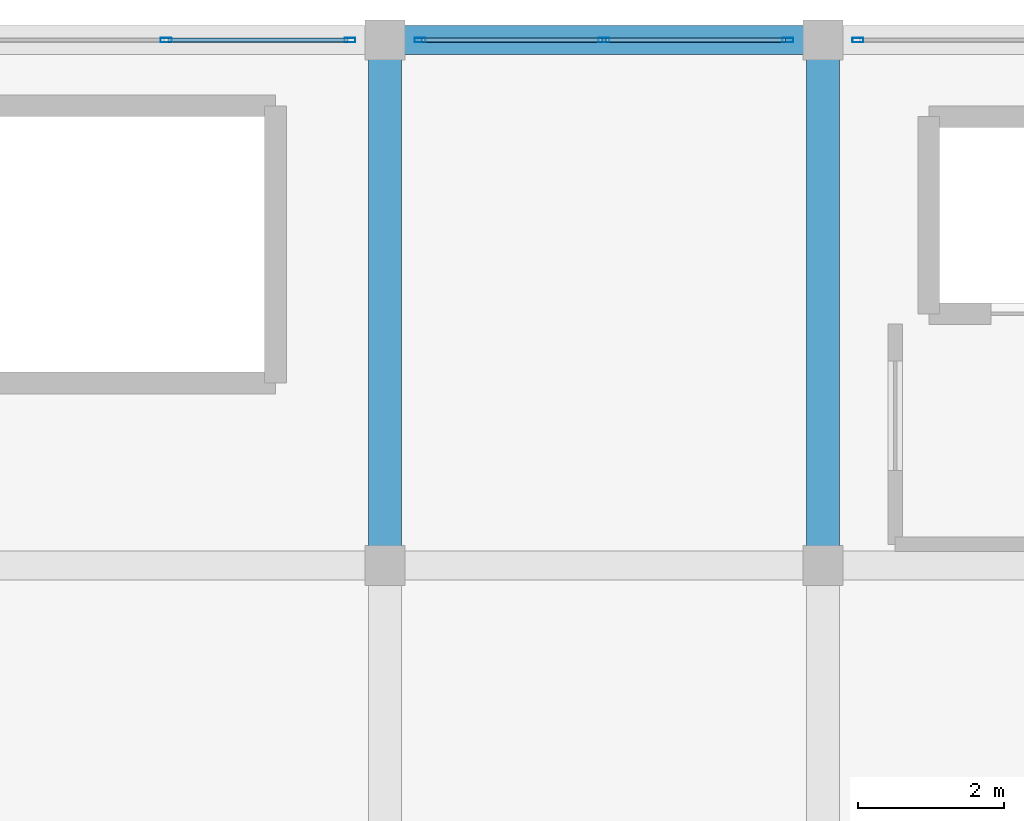
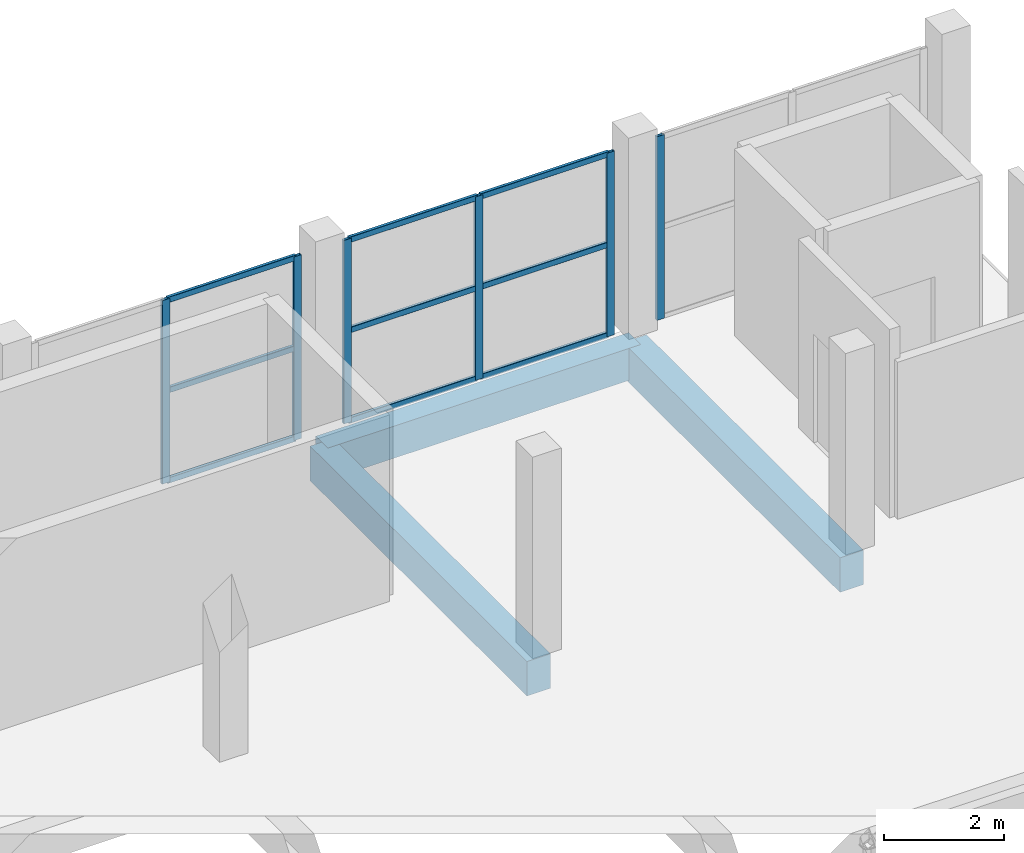
# One storey, part 55 of 127: 15 members, 3 beams, 3 elements without a shape of their own.
"""IFC4 building model written with IfcOpenShell, lengths in metres."""

import ifcopenshell
import ifcopenshell.guid

model = None  # the IFC model being written
_history = None  # IfcOwnerHistory: only IFC2X3 demands one
_inside = {}  # id of a spatial element -> (the spatial element, [elements in it])
_under = {}  # id of a project, library or spatial element -> (it, [spatial elements below it])
_declared = {}  # id of a project -> (the project, [libraries it declares])
_typed = {}  # id of a type object -> (the type object, [elements of that type])
_made_of = {}  # id of a material, layer set ... -> (it, [elements and type objects made of it])


def new_model(schema):
    """Start an empty IFC model of exactly this schema.

    Asked for "IFC4X3", IfcOpenShell would pick the latest addendum, in which some entities
    have other attributes; the version numbers below select the first issue.
    IFC2X3 requires an IfcOwnerHistory on every rooted entity: one is made here for all.
    """
    global model, _history
    if schema == "IFC4X3":
        model = ifcopenshell.file(schema_version=(4, 3, 0, 0))
    else:
        model = ifcopenshell.file(schema=schema)
    _inside.clear()
    _under.clear()
    _declared.clear()
    _typed.clear()
    _made_of.clear()
    _history = None
    if model.schema == "IFC2X3":
        org = make("IfcOrganization", Name="unknown")
        user = make(
            "IfcPersonAndOrganization",
            ThePerson=make("IfcPerson", FamilyName="unknown"),
            TheOrganization=org,
        )
        app = make(
            "IfcApplication",
            ApplicationDeveloper=org,
            Version="unknown",
            ApplicationFullName="unknown",
            ApplicationIdentifier="unknown",
        )
        _history = make(
            "IfcOwnerHistory",
            OwningUser=user,
            OwningApplication=app,
            ChangeAction="ADDED",
            CreationDate=0,
        )
    return model


def make(cls, **values):
    """One entity of the class cls with the attributes given. An attribute that is None is left unset."""
    return model.create_entity(
        cls, **{name: value for name, value in values.items() if value is not None}
    )


def rooted(cls, **values):
    """An entity with a GlobalId (a new one), such as an element, a storey or a relation."""
    return make(cls, GlobalId=ifcopenshell.guid.new(), OwnerHistory=_history, **values)


def si_unit(unit_type, name, prefix=None):
    """IfcSIUnit, for example si_unit("LENGTHUNIT", "METRE", prefix="MILLI")."""
    return make("IfcSIUnit", UnitType=unit_type, Prefix=prefix, Name=name)


def assignment(units):
    """IfcUnitAssignment: the units of a project."""
    return None if units is None else make("IfcUnitAssignment", Units=units)


def point(xyz):
    """IfcCartesianPoint."""
    return None if xyz is None else make("IfcCartesianPoint", Coordinates=xyz)


def direction(xyz):
    """IfcDirection."""
    return None if xyz is None else make("IfcDirection", DirectionRatios=xyz)


def frame(location, z_axis=None, x_axis=None):
    """IfcAxis2Placement3D, a coordinate frame: its origin and axes. An axis left out is left unset."""
    return make(
        "IfcAxis2Placement3D",
        Location=point(location),
        Axis=direction(z_axis),
        RefDirection=direction(x_axis),
    )


def frame_2d(location, x_axis=None):
    """IfcAxis2Placement2D, a coordinate frame in the plane: its origin and x axis."""
    return make(
        "IfcAxis2Placement2D", Location=point(location), RefDirection=direction(x_axis)
    )


def origin():
    """The frame at (0, 0, 0) with its axes left unset."""
    return frame((0.0, 0.0, 0.0))


def origin_2d():
    """The frame at (0, 0) in the plane with its x axis left unset."""
    return frame_2d((0.0, 0.0))


def place(relative_to, where):
    """IfcLocalPlacement: puts the frame where relative to a parent placement (None: the world)."""
    return make(
        "IfcLocalPlacement", PlacementRelTo=relative_to, RelativePlacement=where
    )


def context(
    kind, dimensions, precision=None, world=None, true_north=None, identifier=None
):
    """IfcGeometricRepresentationContext, for example the 3D "Model" context."""
    return make(
        "IfcGeometricRepresentationContext",
        ContextIdentifier=identifier,
        ContextType=kind,
        CoordinateSpaceDimension=dimensions,
        Precision=precision,
        WorldCoordinateSystem=world,
        TrueNorth=true_north,
    )


def subcontext(parent, identifier, kind, view, scale=None):
    """IfcGeometricRepresentationSubContext, for example "Body" below "Model"."""
    return make(
        "IfcGeometricRepresentationSubContext",
        ContextIdentifier=identifier,
        ContextType=kind,
        ParentContext=parent,
        TargetScale=scale,
        TargetView=view,
    )


def project(units=None, contexts=None):
    """IfcProject with its units and contexts."""
    return rooted(
        "IfcProject",
        Name="project",
        RepresentationContexts=contexts,
        UnitsInContext=assignment(units),
    )


def spatial(cls, under=None, at=None, **own):
    """A site, building, storey or space (cls), placed at a placement, below another one or the project."""
    s = rooted(cls, ObjectPlacement=at, **own)
    if under is not None:
        _under.setdefault(under.id(), (under, []))[1].append(s)
    return s


def profile(cls, at=None, kind="AREA", **sizes):
    """A parametric profile (cls). Its sizes go by their IFC names, for example OverallWidth=200.0."""
    return make(cls, ProfileType=kind, Position=at, **sizes)


def rectangle(**sizes):
    """IfcRectangleProfileDef."""
    return profile("IfcRectangleProfileDef", **sizes)


def hollow_rectangle(**sizes):
    """IfcRectangleHollowProfileDef."""
    return profile("IfcRectangleHollowProfileDef", **sizes)


def extrude(swept, where, along, depth):
    """IfcExtrudedAreaSolid: the profile swept, set in the frame where, extruded along a direction by depth."""
    return make(
        "IfcExtrudedAreaSolid",
        SweptArea=swept,
        Position=where,
        ExtrudedDirection=direction(along),
        Depth=depth,
    )


def shape(context_of_items, identifier, shape_type, items):
    """IfcShapeRepresentation: the items that make up one representation, for example the "Body"."""
    return make(
        "IfcShapeRepresentation",
        ContextOfItems=context_of_items,
        RepresentationIdentifier=identifier,
        RepresentationType=shape_type,
        Items=items,
    )


def material(Name=None, Category=None):
    """IfcMaterial."""
    return make("IfcMaterial", Name=Name, Category=Category)


def layer(
    of_material, thickness, ventilated=None, Name=None, Category=None, Priority=None
):
    """IfcMaterialLayer: one layer of a wall or slab, of a material (None: an air gap)."""
    return make(
        "IfcMaterialLayer",
        Material=of_material,
        LayerThickness=thickness,
        IsVentilated=ventilated,
        Name=Name,
        Category=Category,
        Priority=Priority,
    )


def layer_set(layers, Name=None):
    """IfcMaterialLayerSet."""
    return make("IfcMaterialLayerSet", MaterialLayers=layers, LayerSetName=Name)


def material_profile(
    of_material, cross_section, Name=None, Category=None, Priority=None
):
    """IfcMaterialProfile: a cross section and its material."""
    return make(
        "IfcMaterialProfile",
        Name=Name,
        Material=of_material,
        Profile=cross_section,
        Priority=Priority,
        Category=Category,
    )


def profile_set(profiles, Name=None, composite=None):
    """IfcMaterialProfileSet."""
    return make(
        "IfcMaterialProfileSet",
        Name=Name,
        MaterialProfiles=profiles,
        CompositeProfile=composite,
    )


def made_of(thing, what):
    """Note that an element or type object is made of a material, layer set ...; save() writes the relation."""
    if what is not None:
        _made_of.setdefault(what.id(), (what, []))[1].append(thing)
    return thing


def type_object(cls, material=None, **own):
    """A type object (cls), such as IfcWallType, which elements share."""
    return made_of(rooted(cls, **own), material)


def element(
    cls,
    number,
    at=None,
    inside=None,
    cuts=None,
    type_object=None,
    material=None,
    context=None,
    identifier="Body",
    shape_type=None,
    held_by="IfcProductDefinitionShape",
    body=None,
    shapes=None,
    **own,
):
    """One element of the class cls, such as IfcWall. Its Tag is "e" and its number.

    at: its placement. inside: the storey or other place that contains it. cuts: it is an
    opening in that element (IfcRelVoidsElement). A single representation is given by context,
    identifier, shape_type and body (its items); several are given by shapes. held_by: the class
    of the entity that holds the representations. save() writes the other relations.
    """
    e = rooted(cls, Tag="e%d" % number, ObjectPlacement=at, **own)
    if body is not None:
        shapes = [shape(context, identifier, shape_type, body)]
    if shapes is not None:
        e.Representation = make(held_by, Representations=shapes)
    if inside is not None:
        _inside.setdefault(inside.id(), (inside, []))[1].append(e)
    if cuts is not None:
        rooted(
            "IfcRelVoidsElement", RelatingBuildingElement=cuts, RelatedOpeningElement=e
        )
    if type_object is not None:
        _typed.setdefault(type_object.id(), (type_object, []))[1].append(e)
    return made_of(e, material)


def aggregate(whole, parts):
    """IfcRelAggregates: a whole, such as a stair, and the parts it consists of."""
    return rooted("IfcRelAggregates", RelatingObject=whole, RelatedObjects=parts)


def save(model, path):
    """Write the relations noted so far, then the file.

    IfcRelAggregates (storeys below a building ...), IfcRelContainedInSpatialStructure (elements
    in a storey), IfcRelDefinesByType, IfcRelAssociatesMaterial and IfcRelDeclares: one each for
    every whole, place, type object, material and project.
    """
    for whole, parts in _under.values():
        aggregate(whole, parts)
    for where, things in _inside.values():
        rooted(
            "IfcRelContainedInSpatialStructure",
            RelatedElements=things,
            RelatingStructure=where,
        )
    for kind, things in _typed.values():
        rooted("IfcRelDefinesByType", RelatedObjects=things, RelatingType=kind)
    for what, things in _made_of.values():
        rooted("IfcRelAssociatesMaterial", RelatedObjects=things, RelatingMaterial=what)
    for by, libraries in _declared.values():
        rooted("IfcRelDeclares", RelatingContext=by, RelatedDefinitions=libraries)
    model.write(path)


model = new_model("IFC4")

# Units and contexts
model_context = context("Model", 3, precision=1e-05, world=origin(), true_north=direction((0.0, 1.0)))
body_context = subcontext(model_context, "Body", "Model", "MODEL_VIEW")
ifc_project = project(units=[si_unit("LENGTHUNIT", "METRE"), si_unit("AREAUNIT", "SQUARE_METRE"), si_unit("VOLUMEUNIT", "CUBIC_METRE"), si_unit("PLANEANGLEUNIT", "RADIAN"), si_unit("MASSUNIT", "GRAM", prefix="KILO")], contexts=[model_context])

# Site, building, storey
site_placement = place(None, origin())
site = spatial("IfcSite", under=ifc_project, at=site_placement, CompositionType="ELEMENT")
building_placement = place(site_placement, origin())
building = spatial("IfcBuilding", under=site, at=building_placement, Name="Dunvalen Ferry Terminal", CompositionType="ELEMENT")
storey_placement = place(building_placement, frame((0.0, 0.0, 5.760009765625)))
storey = spatial("IfcBuildingStorey", under=building, at=storey_placement, Name="L01", CompositionType="ELEMENT", Elevation=5.760009765625)

# Curtain wall, members
ifc_material_1 = material(Name="Anodised marine aluminium and solar-control glazing", Category="aluminium")
ifc_layer = layer(ifc_material_1, 0.159912109375, Name="Anodised marine aluminium and solar-control glazing")
ifc_layer_set = layer_set([ifc_layer], Name="Anodised marine aluminium and solar-control glazing")
curtain_wall_type = type_object("IfcCurtainWallType", Name="ENV-CW-SYS-08", PredefinedType="NOTDEFINED", material=ifc_layer_set)
curtain_wall_1_placement = place(storey_placement, origin())
curtain_wall_1 = element("IfcCurtainWall", 1, at=curtain_wall_1_placement, inside=storey, type_object=curtain_wall_type, Name="L01 Curtain Wall CW-BRT1-N-L01-2", PredefinedType="NOTDEFINED")
ifc_material_2 = material(Name="Anodised marine aluminium EN AW-6063 T6", Category="aluminium")
ifc_material_profile_1 = material_profile(ifc_material_2, hollow_rectangle(XDim=0.06005859375, YDim=0.14990234375, WallThickness=0.00341796875, InnerFilletRadius=0.00341796875, OuterFilletRadius=0.007080078125, at=origin_2d()), Name="Anodised marine aluminium EN AW-6063 T6")
ifc_profile_set_1 = profile_set([ifc_material_profile_1], Name="Anodised marine aluminium EN AW-6063 T6")
member_type_1 = type_object("IfcMemberType", Name="ENV-CW-MUL-3", PredefinedType="MULLION", material=ifc_profile_set_1)
member_1_placement = place(storey_placement, frame((33.0, 115.199951171875, 0.0), z_axis=(0.0, 0.0, 1.0), x_axis=(0.0, 1.0, 0.0)))
member_1 = element("IfcMember", 2, at=member_1_placement, type_object=member_type_1, Name="CW-08 mullion 2", PredefinedType="MULLION", context=body_context, shape_type="SweptSolid", body=[
    extrude(hollow_rectangle(XDim=0.06005859375, YDim=0.14990234375, WallThickness=0.00341796875, InnerFilletRadius=0.00341796875, OuterFilletRadius=0.007080078125, at=origin_2d()), origin(), (0.0, 0.0, 1.0), 3.719970703125),
])
member_2_placement = place(storey_placement, frame((35.52001953125, 115.199951171875, 0.0), z_axis=(0.0, 0.0, 1.0), x_axis=(0.0, 1.0, 0.0)))
member_2 = element("IfcMember", 3, at=member_2_placement, type_object=member_type_1, Name="CW-08 mullion 3", PredefinedType="MULLION", context=body_context, shape_type="SweptSolid", body=[
    extrude(hollow_rectangle(XDim=0.06005859375, YDim=0.14990234375, WallThickness=0.00341796875, InnerFilletRadius=0.00341796875, OuterFilletRadius=0.007080078125, at=origin_2d()), origin(), (0.0, 0.0, 1.0), 3.719970703125),
])

curtain_wall_2_placement = place(storey_placement, origin())
curtain_wall_2 = element("IfcCurtainWall", 4, at=curtain_wall_2_placement, inside=storey, type_object=curtain_wall_type, Name="L01 Curtain Wall CW-BRT1-N-L01-3", PredefinedType="NOTDEFINED")
member_3_placement = place(storey_placement, frame((36.47998046875, 115.199951171875, 0.0), z_axis=(0.0, 0.0, 1.0), x_axis=(0.0, 1.0, 0.0)))
member_3 = element("IfcMember", 5, at=member_3_placement, type_object=member_type_1, Name="CW-08 mullion 1", PredefinedType="MULLION", context=body_context, shape_type="SweptSolid", body=[
    extrude(hollow_rectangle(XDim=0.06005859375, YDim=0.14990234375, WallThickness=0.00341796875, InnerFilletRadius=0.00341796875, OuterFilletRadius=0.007080078125, at=origin_2d()), origin(), (0.0, 0.0, 1.0), 3.719970703125),
])
member_4_placement = place(storey_placement, frame((39.0, 115.199951171875, 0.0), z_axis=(0.0, 0.0, 1.0), x_axis=(0.0, 1.0, 0.0)))
member_4 = element("IfcMember", 6, at=member_4_placement, type_object=member_type_1, Name="CW-08 mullion 2", PredefinedType="MULLION", context=body_context, shape_type="SweptSolid", body=[
    extrude(hollow_rectangle(XDim=0.06005859375, YDim=0.14990234375, WallThickness=0.00341796875, InnerFilletRadius=0.00341796875, OuterFilletRadius=0.007080078125, at=origin_2d()), origin(), (0.0, 0.0, 1.0), 3.719970703125),
])
member_5_placement = place(storey_placement, frame((41.52001953125, 115.199951171875, 0.0), z_axis=(0.0, 0.0, 1.0), x_axis=(0.0, 1.0, 0.0)))
member_5 = element("IfcMember", 7, at=member_5_placement, type_object=member_type_1, Name="CW-08 mullion 3", PredefinedType="MULLION", context=body_context, shape_type="SweptSolid", body=[
    extrude(hollow_rectangle(XDim=0.06005859375, YDim=0.14990234375, WallThickness=0.00341796875, InnerFilletRadius=0.00341796875, OuterFilletRadius=0.007080078125, at=origin_2d()), origin(), (0.0, 0.0, 1.0), 3.719970703125),
])

# Curtain wall, member
curtain_wall_3_placement = place(storey_placement, origin())
curtain_wall_3 = element("IfcCurtainWall", 8, at=curtain_wall_3_placement, inside=storey, type_object=curtain_wall_type, Name="L01 Curtain Wall CW-BRT1-N-L01-4", PredefinedType="NOTDEFINED")
member_6_placement = place(storey_placement, frame((42.47998046875, 115.199951171875, 0.0), z_axis=(0.0, 0.0, 1.0), x_axis=(0.0, 1.0, 0.0)))
member_6 = element("IfcMember", 9, at=member_6_placement, type_object=member_type_1, Name="CW-08 mullion 1", PredefinedType="MULLION", context=body_context, shape_type="SweptSolid", body=[
    extrude(hollow_rectangle(XDim=0.06005859375, YDim=0.14990234375, WallThickness=0.00341796875, InnerFilletRadius=0.00341796875, OuterFilletRadius=0.007080078125, at=origin_2d()), origin(), (0.0, 0.0, 1.0), 3.719970703125),
])
aggregate(curtain_wall_3, [member_6])

# Member
ifc_material_profile_2 = material_profile(ifc_material_2, hollow_rectangle(XDim=0.06005859375, YDim=0.114990234375, WallThickness=0.0029296875, InnerFilletRadius=0.0029296875, OuterFilletRadius=0.006103515625, at=origin_2d()), Name="Anodised marine aluminium EN AW-6063 T6")
ifc_profile_set_2 = profile_set([ifc_material_profile_2], Name="Anodised marine aluminium EN AW-6063 T6")
member_type_2 = type_object("IfcMemberType", Name="ENV-CW-TRN-3", PredefinedType="USERDEFINED", material=ifc_profile_set_2)
member_7_placement = place(storey_placement, frame((33.030029296875, 115.199951171875, 0.030029296875), z_axis=(1.0, 0.0, 0.0), x_axis=(0.0, 1.0, 0.0)))
member_7 = element("IfcMember", 10, at=member_7_placement, type_object=member_type_2, Name="CW-08 transom 2.1", ObjectType="TRANSOM", PredefinedType="USERDEFINED", context=body_context, shape_type="SweptSolid", body=[
    extrude(hollow_rectangle(XDim=0.06005859375, YDim=0.114990234375, WallThickness=0.0029296875, InnerFilletRadius=0.0029296875, OuterFilletRadius=0.006103515625, at=origin_2d()), origin(), (0.0, 0.0, 1.0), 2.4599609375),
])

member_8_placement = place(storey_placement, frame((33.030029296875, 115.199951171875, 1.860107421875), z_axis=(1.0, 0.0, 0.0), x_axis=(0.0, 1.0, 0.0)))
member_8 = element("IfcMember", 11, at=member_8_placement, type_object=member_type_2, Name="CW-08 transom 2.2", ObjectType="TRANSOM", PredefinedType="USERDEFINED", context=body_context, shape_type="SweptSolid", body=[
    extrude(hollow_rectangle(XDim=0.06005859375, YDim=0.114990234375, WallThickness=0.0029296875, InnerFilletRadius=0.0029296875, OuterFilletRadius=0.006103515625, at=origin_2d()), origin(), (0.0, 0.0, 1.0), 2.4599609375),
])

member_9_placement = place(storey_placement, frame((33.030029296875, 115.199951171875, 3.68994140625), z_axis=(1.0, 0.0, 0.0), x_axis=(0.0, 1.0, 0.0)))
member_9 = element("IfcMember", 12, at=member_9_placement, type_object=member_type_2, Name="CW-08 transom 2.3", ObjectType="TRANSOM", PredefinedType="USERDEFINED", context=body_context, shape_type="SweptSolid", body=[
    extrude(hollow_rectangle(XDim=0.06005859375, YDim=0.114990234375, WallThickness=0.0029296875, InnerFilletRadius=0.0029296875, OuterFilletRadius=0.006103515625, at=origin_2d()), origin(), (0.0, 0.0, 1.0), 2.4599609375),
])

aggregate(curtain_wall_1, [member_1, member_2, member_7, member_8, member_9])

member_10_placement = place(storey_placement, frame((36.510009765625, 115.199951171875, 0.030029296875), z_axis=(1.0, 0.0, 0.0), x_axis=(0.0, 1.0, 0.0)))
member_10 = element("IfcMember", 13, at=member_10_placement, type_object=member_type_2, Name="CW-08 transom 1.1", ObjectType="TRANSOM", PredefinedType="USERDEFINED", context=body_context, shape_type="SweptSolid", body=[
    extrude(hollow_rectangle(XDim=0.06005859375, YDim=0.114990234375, WallThickness=0.0029296875, InnerFilletRadius=0.0029296875, OuterFilletRadius=0.006103515625, at=origin_2d()), origin(), (0.0, 0.0, 1.0), 2.4599609375),
])

member_11_placement = place(storey_placement, frame((36.510009765625, 115.199951171875, 1.860107421875), z_axis=(1.0, 0.0, 0.0), x_axis=(0.0, 1.0, 0.0)))
member_11 = element("IfcMember", 14, at=member_11_placement, type_object=member_type_2, Name="CW-08 transom 1.2", ObjectType="TRANSOM", PredefinedType="USERDEFINED", context=body_context, shape_type="SweptSolid", body=[
    extrude(hollow_rectangle(XDim=0.06005859375, YDim=0.114990234375, WallThickness=0.0029296875, InnerFilletRadius=0.0029296875, OuterFilletRadius=0.006103515625, at=origin_2d()), origin(), (0.0, 0.0, 1.0), 2.4599609375),
])

member_12_placement = place(storey_placement, frame((36.510009765625, 115.199951171875, 3.68994140625), z_axis=(1.0, 0.0, 0.0), x_axis=(0.0, 1.0, 0.0)))
member_12 = element("IfcMember", 15, at=member_12_placement, type_object=member_type_2, Name="CW-08 transom 1.3", ObjectType="TRANSOM", PredefinedType="USERDEFINED", context=body_context, shape_type="SweptSolid", body=[
    extrude(hollow_rectangle(XDim=0.06005859375, YDim=0.114990234375, WallThickness=0.0029296875, InnerFilletRadius=0.0029296875, OuterFilletRadius=0.006103515625, at=origin_2d()), origin(), (0.0, 0.0, 1.0), 2.4599609375),
])

member_13_placement = place(storey_placement, frame((39.030029296875, 115.199951171875, 0.030029296875), z_axis=(1.0, 0.0, 0.0), x_axis=(0.0, 1.0, 0.0)))
member_13 = element("IfcMember", 16, at=member_13_placement, type_object=member_type_2, Name="CW-08 transom 2.1", ObjectType="TRANSOM", PredefinedType="USERDEFINED", context=body_context, shape_type="SweptSolid", body=[
    extrude(hollow_rectangle(XDim=0.06005859375, YDim=0.114990234375, WallThickness=0.0029296875, InnerFilletRadius=0.0029296875, OuterFilletRadius=0.006103515625, at=origin_2d()), origin(), (0.0, 0.0, 1.0), 2.4599609375),
])

member_14_placement = place(storey_placement, frame((39.030029296875, 115.199951171875, 1.860107421875), z_axis=(1.0, 0.0, 0.0), x_axis=(0.0, 1.0, 0.0)))
member_14 = element("IfcMember", 17, at=member_14_placement, type_object=member_type_2, Name="CW-08 transom 2.2", ObjectType="TRANSOM", PredefinedType="USERDEFINED", context=body_context, shape_type="SweptSolid", body=[
    extrude(hollow_rectangle(XDim=0.06005859375, YDim=0.114990234375, WallThickness=0.0029296875, InnerFilletRadius=0.0029296875, OuterFilletRadius=0.006103515625, at=origin_2d()), origin(), (0.0, 0.0, 1.0), 2.4599609375),
])

member_15_placement = place(storey_placement, frame((39.030029296875, 115.199951171875, 3.68994140625), z_axis=(1.0, 0.0, 0.0), x_axis=(0.0, 1.0, 0.0)))
member_15 = element("IfcMember", 18, at=member_15_placement, type_object=member_type_2, Name="CW-08 transom 2.3", ObjectType="TRANSOM", PredefinedType="USERDEFINED", context=body_context, shape_type="SweptSolid", body=[
    extrude(hollow_rectangle(XDim=0.06005859375, YDim=0.114990234375, WallThickness=0.0029296875, InnerFilletRadius=0.0029296875, OuterFilletRadius=0.006103515625, at=origin_2d()), origin(), (0.0, 0.0, 1.0), 2.4599609375),
])

aggregate(curtain_wall_2, [member_3, member_4, member_5, member_10, member_11, member_12, member_13, member_14, member_15])

# Beams
ifc_material_3 = material(Name="Concrete C40/50", Category="concrete")
ifc_material_profile_3 = material_profile(ifc_material_3, rectangle(XDim=0.39990234375, YDim=0.64990234375, at=origin_2d()), Name="Concrete C40/50")
ifc_profile_set_3 = profile_set([ifc_material_profile_3], Name="Concrete C40/50")
beam_type_1 = type_object("IfcBeamType", Name="STR-BM-RCB650", PredefinedType="BEAM", material=ifc_profile_set_3)
beam_placement = place(storey_placement, frame((36.0, 115.199951171875, -0.56494140625), z_axis=(1.0, 0.0, 0.0), x_axis=(0.0, 1.0, 0.0)))
element("IfcBeam", 19, at=beam_placement, inside=storey, type_object=beam_type_1, Name="L01 V3B1 Primary Beam X-011", PredefinedType="BEAM", context=body_context, shape_type="SweptSolid", body=[
    extrude(rectangle(XDim=0.39990234375, YDim=0.64990234375, at=origin_2d()), origin(), (0.0, 0.0, 1.0), 6.0),
])
ifc_material_profile_4 = material_profile(ifc_material_3, rectangle(XDim=0.449951171875, YDim=0.699951171875, at=origin_2d()), Name="Concrete C40/50")
ifc_profile_set_4 = profile_set([ifc_material_profile_4], Name="Concrete C40/50")
beam_type_2 = type_object("IfcBeamType", Name="STR-BM-RCB700", PredefinedType="BEAM", material=ifc_profile_set_4)
for number, where, z_axis, x_axis, name in (
    (20, (36.0, 108.0, -0.590087890625), (0.0, 1.0, 0.0), (-1.0, 0.0, 0.0), "L01 V3B1 Primary Girder Y-017"),
    (21, (42.0, 108.0, -0.590087890625), (0.0, 1.0, 0.0), (-1.0, 0.0, 0.0), "L01 V3B1 Primary Girder Y-019"),
):
    element("IfcBeam", number, at=place(storey_placement, frame(where, z_axis=z_axis, x_axis=x_axis)), inside=storey, type_object=beam_type_2, Name=name, PredefinedType="BEAM", context=body_context, shape_type="SweptSolid", body=[
        extrude(rectangle(XDim=0.449951171875, YDim=0.699951171875, at=origin_2d()), origin(), (0.0, 0.0, 1.0), 7.199951171875),
    ])

save(model, "model.ifc")
